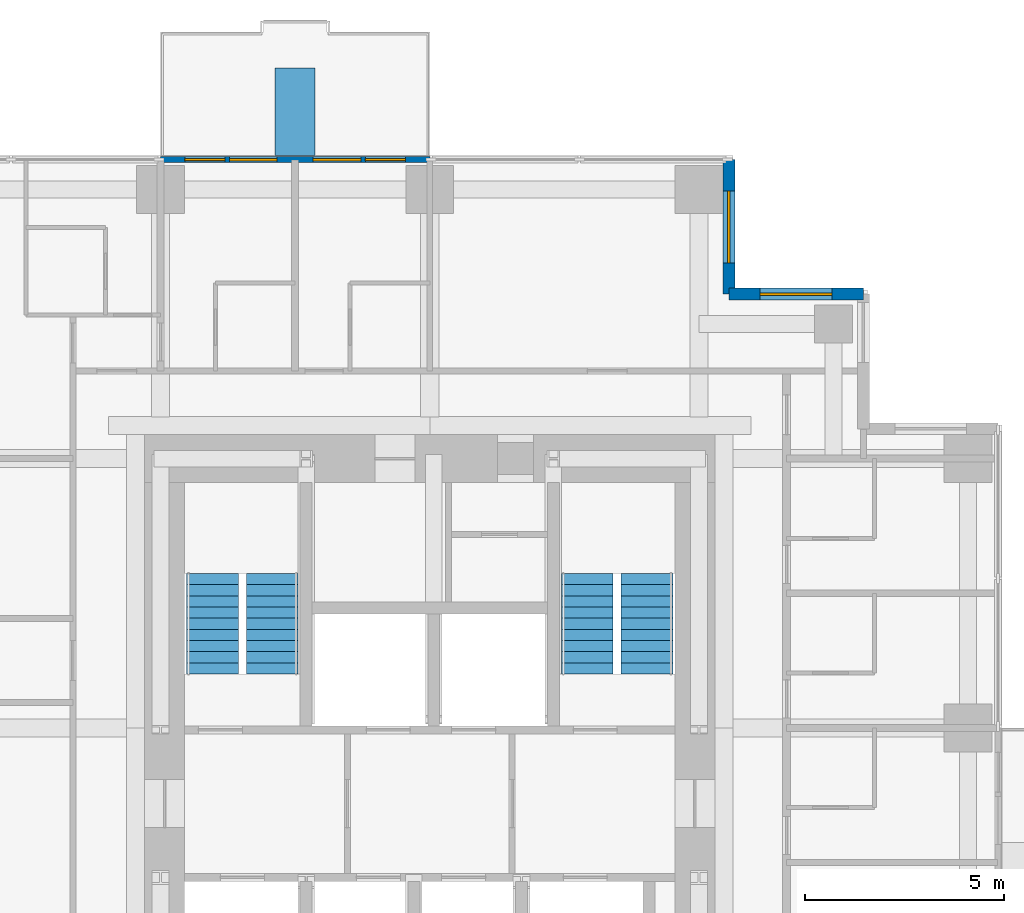
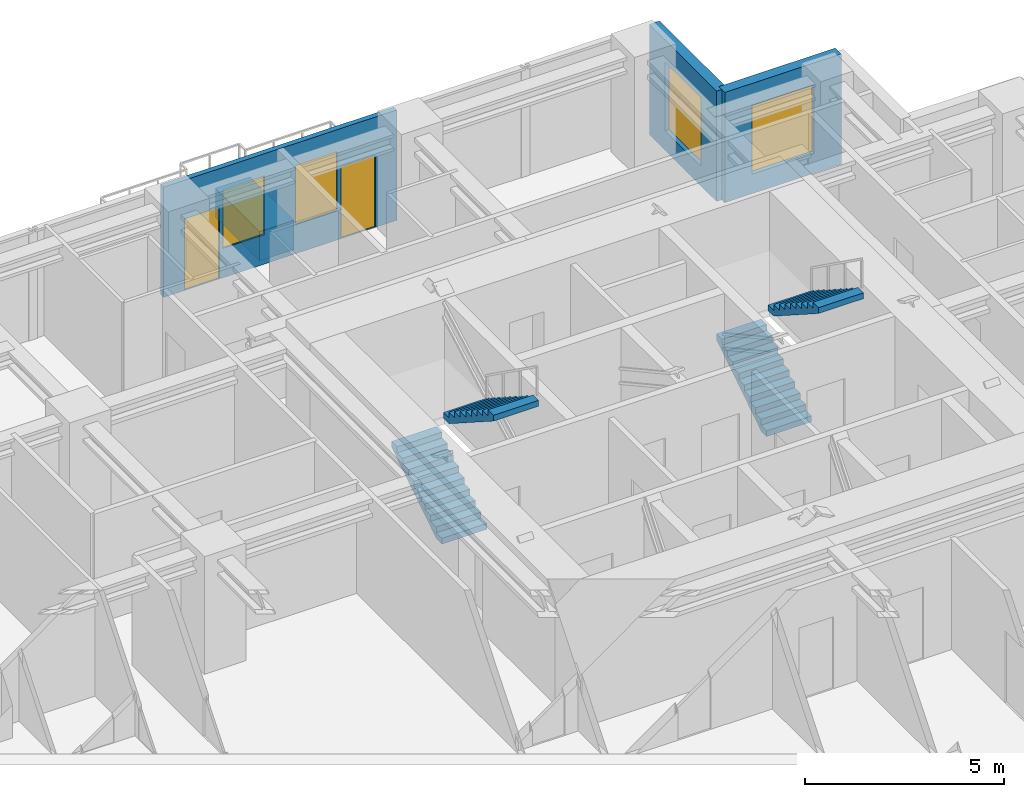
# One storey, part 9 of 10: 4 stair flights, 4 walls, 4 windows, 2 doors, 6 openings, 2 elements without a shape of their own.
"""IFC4 building model written with IfcOpenShell, lengths in metres."""

from ifc_helpers import new_model, si_unit, direction, frame, frame_2d, origin, place, context, subcontext, project, spatial, polyline, rectangle, outline, extrude, material, layer, layer_set, type_object, element, fill, aggregate, save


model = new_model("IFC4")

# Units and contexts
model_context = context("Model", 3, precision=1e-05, world=origin(), true_north=direction((0.0, 1.0)))
body_context = subcontext(model_context, "Body", "Model", "MODEL_VIEW")
ifc_project = project(units=[si_unit("LENGTHUNIT", "METRE"), si_unit("AREAUNIT", "SQUARE_METRE"), si_unit("VOLUMEUNIT", "CUBIC_METRE"), si_unit("PLANEANGLEUNIT", "RADIAN"), si_unit("MASSUNIT", "GRAM", prefix="KILO")], contexts=[model_context])

# Site, building, storey
site_placement = place(None, origin())
site = spatial("IfcSite", under=ifc_project, at=site_placement, CompositionType="ELEMENT")
building_placement = place(site_placement, origin())
building = spatial("IfcBuilding", under=site, at=building_placement, Name="Nyansa Garden Tower", CompositionType="ELEMENT")
storey_placement = place(building_placement, frame((0.0, 0.0, 192.60009765625)))
storey = spatial("IfcBuildingStorey", under=building, at=storey_placement, Name="L52", CompositionType="ELEMENT", Elevation=192.60009765625)

# Wall, openings, doors, windows
ifc_material_1 = material(Name="Black aluminium framed glazed screen", Category="aluminium")
ifc_layer_1 = layer(ifc_material_1, 0.14990234375)
ifc_layer_set_1 = layer_set([ifc_layer_1], Name="Balcony screen wall BW150")
wall_type_1 = type_object("IfcWallType", Name="Balcony screen wall BW150", PredefinedType="SOLIDWALL", material=ifc_layer_set_1)
wall_1_placement = place(storey_placement, frame((13.5, 34.5, 0.0), z_axis=(0.0, 0.0, 1.0), x_axis=(1.0, 0.0, 0.0)))
wall_1 = element("IfcWall", 1, at=wall_1_placement, inside=storey, type_object=wall_type_1, Name="Glazed screen wall L52 N", PredefinedType="SOLIDWALL", context=body_context, shape_type="SweptSolid", body=[
    extrude(rectangle(XDim=6.75, YDim=0.14990234375, at=frame_2d((3.375, 0.0))), origin(), (0.0, 0.0, 1.0), 3.375),
])
opening_1_placement = place(wall_1_placement, frame((0.612548828125, 0.0, 0.0)))
opening_1 = element("IfcOpeningElement", 2, at=opening_1_placement, cuts=wall_1, Name="Opening D20", PredefinedType="OPENING", context=body_context, shape_type="SweptSolid", body=[
    extrude(rectangle(XDim=1.0, YDim=2.199951171875, at=frame_2d((0.5, 1.10009765625))), frame((0.0, 0.0849609375, 0.0), z_axis=(0.0, -1.0, 0.0), x_axis=(1.0, 0.0, 0.0)), (0.0, 0.0, 1.0), 0.169921875),
])
opening_2_placement = place(wall_1_placement, frame((1.72509765625, 0.0, 0.89990234375)))
opening_2 = element("IfcOpeningElement", 3, at=opening_2_placement, cuts=wall_1, Name="Opening W6", PredefinedType="OPENING", context=body_context, shape_type="SweptSolid", body=[
    extrude(rectangle(XDim=1.199951171875, YDim=1.800048828125, at=frame_2d((0.60009765625, 0.89990234375))), frame((0.0, 0.0849609375, 0.0), z_axis=(0.0, -1.0, 0.0), x_axis=(1.0, 0.0, 0.0)), (0.0, 0.0, 1.0), 0.169921875),
])
opening_3_placement = place(wall_1_placement, frame((5.137451171875, 0.0, 0.0)))
opening_3 = element("IfcOpeningElement", 4, at=opening_3_placement, cuts=wall_1, Name="Opening D20", PredefinedType="OPENING", context=body_context, shape_type="SweptSolid", body=[
    extrude(rectangle(XDim=1.0, YDim=2.199951171875, at=frame_2d((0.5, 1.10009765625))), frame((0.0, 0.0849609375, 0.0), z_axis=(0.0, -1.0, 0.0), x_axis=(1.0, 0.0, 0.0)), (0.0, 0.0, 1.0), 0.169921875),
])
opening_4_placement = place(wall_1_placement, frame((3.824951171875, 0.0, 0.89990234375)))
opening_4 = element("IfcOpeningElement", 5, at=opening_4_placement, cuts=wall_1, Name="Opening W6", PredefinedType="OPENING", context=body_context, shape_type="SweptSolid", body=[
    extrude(rectangle(XDim=1.199951171875, YDim=1.800048828125, at=frame_2d((0.60009765625, 0.89990234375))), frame((0.0, 0.0849609375, 0.0), z_axis=(0.0, -1.0, 0.0), x_axis=(1.0, 0.0, 0.0)), (0.0, 0.0, 1.0), 0.169921875),
])
ifc_material_2 = material(Name="Black aluminium framed glazed door", Category="aluminium")
door_type = type_object("IfcDoorType", Name="Balcony door D20 1000x2200", OperationType="NOTDEFINED", PredefinedType="DOOR", material=ifc_material_2)
door_1_placement = place(opening_1_placement, origin())
door_1 = element("IfcDoor", 6, at=door_1_placement, inside=storey, type_object=door_type, Name="Balcony door L52", OperationType="SINGLE_SWING_LEFT", OverallHeight=2.199951171875, OverallWidth=1.0, PredefinedType="DOOR", context=body_context, shape_type="SweptSolid", body=[
    extrude(rectangle(XDim=1.0, YDim=2.199951171875, at=frame_2d((0.5, 1.10009765625))), frame((0.0, 0.02490234375, 0.0), z_axis=(0.0, -1.0, 0.0), x_axis=(1.0, 0.0, 0.0)), (0.0, 0.0, 1.0), 0.050048828125),
])
fill(opening_1, door_1)
door_2_placement = place(opening_3_placement, origin())
door_2 = element("IfcDoor", 7, at=door_2_placement, inside=storey, type_object=door_type, Name="Balcony door L52", OperationType="SINGLE_SWING_RIGHT", OverallHeight=2.199951171875, OverallWidth=1.0, PredefinedType="DOOR", context=body_context, shape_type="SweptSolid", body=[
    extrude(rectangle(XDim=1.0, YDim=2.199951171875, at=frame_2d((0.5, 1.10009765625))), frame((0.0, 0.02490234375, 0.0), z_axis=(0.0, -1.0, 0.0), x_axis=(1.0, 0.0, 0.0)), (0.0, 0.0, 1.0), 0.050048828125),
])
fill(opening_3, door_2)
ifc_material_3 = material(Name="Black aluminium frame, dark tinted double glazing", Category="aluminium")
window_type_1 = type_object("IfcWindowType", Name="Balcony window W6 1200x1800", PartitioningType="SINGLE_PANEL", PredefinedType="WINDOW", material=ifc_material_3)
window_1_placement = place(opening_2_placement, origin())
window_1 = element("IfcWindow", 8, at=window_1_placement, inside=storey, type_object=window_type_1, Name="Window L52", OverallHeight=1.800048828125, OverallWidth=1.199951171875, PartitioningType="SINGLE_PANEL", PredefinedType="WINDOW", context=body_context, shape_type="SweptSolid", body=[
    extrude(rectangle(XDim=1.199951171875, YDim=1.800048828125, at=frame_2d((0.60009765625, 0.89990234375))), frame((0.0, 0.030029296875, 0.0), z_axis=(0.0, -1.0, 0.0), x_axis=(1.0, 0.0, 0.0)), (0.0, 0.0, 1.0), 0.06005859375),
])
fill(opening_2, window_1)
window_2_placement = place(opening_4_placement, origin())
window_2 = element("IfcWindow", 9, at=window_2_placement, inside=storey, type_object=window_type_1, Name="Window L52", OverallHeight=1.800048828125, OverallWidth=1.199951171875, PartitioningType="SINGLE_PANEL", PredefinedType="WINDOW", context=body_context, shape_type="SweptSolid", body=[
    extrude(rectangle(XDim=1.199951171875, YDim=1.800048828125, at=frame_2d((0.60009765625, 0.89990234375))), frame((0.0, 0.030029296875, 0.0), z_axis=(0.0, -1.0, 0.0), x_axis=(1.0, 0.0, 0.0)), (0.0, 0.0, 1.0), 0.06005859375),
])
fill(opening_4, window_2)

# Wall, opening, window
ifc_material_4 = material(Name="Turquoise glazed tile on concrete blockwork", Category="masonry")
ifc_layer_2 = layer(ifc_material_4, 0.300048828125)
ifc_layer_set_2 = layer_set([ifc_layer_2], Name="Tiled corner wall TW300")
wall_type_2 = type_object("IfcWallType", Name="Tiled corner wall TW300", PredefinedType="SOLIDWALL", material=ifc_layer_set_2)
wall_2_placement = place(storey_placement, frame((31.125, 31.125, 0.0), z_axis=(0.0, 0.0, 1.0), x_axis=(-1.0, 0.0, 0.0)))
wall_2 = element("IfcWall", 10, at=wall_2_placement, inside=storey, type_object=wall_type_2, Name="Tiled corner wall L52", PredefinedType="SOLIDWALL", context=body_context, shape_type="SweptSolid", body=[
    extrude(rectangle(XDim=3.375, YDim=0.300048828125, at=frame_2d((1.6875, 0.0))), origin(), (0.0, 0.0, 1.0), 3.375),
])
opening_5_placement = place(wall_2_placement, frame((0.78759765625, 0.0, 0.60009765625)))
opening_5 = element("IfcOpeningElement", 11, at=opening_5_placement, cuts=wall_2, Name="Opening W2", PredefinedType="OPENING", context=body_context, shape_type="SweptSolid", body=[
    extrude(rectangle(XDim=1.800048828125, YDim=2.10009765625, at=frame_2d((0.89990234375, 1.050048828125))), frame((0.0, 0.159912109375, 0.0), z_axis=(0.0, -1.0, 0.0), x_axis=(1.0, 0.0, 0.0)), (0.0, 0.0, 1.0), 0.320068359375),
])
ifc_material_5 = material(Name="Black aluminium frame, dark tinted double glazing", Category="aluminium")
window_type_2 = type_object("IfcWindowType", Name="Window W2 1800x2100", PartitioningType="SINGLE_PANEL", PredefinedType="WINDOW", material=ifc_material_5)
window_3_placement = place(opening_5_placement, origin())
window_3 = element("IfcWindow", 12, at=window_3_placement, inside=storey, type_object=window_type_2, Name="Corner window L52", OverallHeight=2.10009765625, OverallWidth=1.800048828125, PartitioningType="SINGLE_PANEL", PredefinedType="WINDOW", context=body_context, shape_type="SweptSolid", body=[
    extrude(rectangle(XDim=1.800048828125, YDim=2.10009765625, at=frame_2d((0.89990234375, 1.050048828125))), frame((0.0, 0.030029296875, 0.0), z_axis=(0.0, -1.0, 0.0), x_axis=(1.0, 0.0, 0.0)), (0.0, 0.0, 1.0), 0.06005859375),
])
fill(opening_5, window_3)

wall_3_placement = place(storey_placement, frame((27.75, 31.125, 0.0), z_axis=(0.0, 0.0, 1.0), x_axis=(0.0, 1.0, 0.0)))
wall_3 = element("IfcWall", 13, at=wall_3_placement, inside=storey, type_object=wall_type_2, Name="Tiled corner wall L52", PredefinedType="SOLIDWALL", context=body_context, shape_type="SweptSolid", body=[
    extrude(rectangle(XDim=3.375, YDim=0.300048828125, at=frame_2d((1.6875, 0.0))), origin(), (0.0, 0.0, 1.0), 3.375),
])
opening_6_placement = place(wall_3_placement, frame((0.78759765625, 0.0, 0.60009765625)))
opening_6 = element("IfcOpeningElement", 14, at=opening_6_placement, cuts=wall_3, Name="Opening W2", PredefinedType="OPENING", context=body_context, shape_type="SweptSolid", body=[
    extrude(rectangle(XDim=1.800048828125, YDim=2.10009765625, at=frame_2d((0.89990234375, 1.050048828125))), frame((0.0, 0.159912109375, 0.0), z_axis=(0.0, -1.0, 0.0), x_axis=(1.0, 0.0, 0.0)), (0.0, 0.0, 1.0), 0.320068359375),
])
window_4_placement = place(opening_6_placement, origin())
window_4 = element("IfcWindow", 15, at=window_4_placement, inside=storey, type_object=window_type_2, Name="Corner window L52", OverallHeight=2.10009765625, OverallWidth=1.800048828125, PartitioningType="SINGLE_PANEL", PredefinedType="WINDOW", context=body_context, shape_type="SweptSolid", body=[
    extrude(rectangle(XDim=1.800048828125, YDim=2.10009765625, at=frame_2d((0.89990234375, 1.050048828125))), frame((0.0, 0.030029296875, 0.0), z_axis=(0.0, -1.0, 0.0), x_axis=(1.0, 0.0, 0.0)), (0.0, 0.0, 1.0), 0.06005859375),
])
fill(opening_6, window_4)

# Wall
ifc_material_6 = material(Name="Concrete C40/50 planter, waterproofed", Category="concrete")
ifc_layer_3 = layer(ifc_material_6, 1.0)
ifc_layer_set_3 = layer_set([ifc_layer_3], Name="Tree planter TP1")
wall_type_3 = type_object("IfcWallType", Name="Tree planter TP1", PredefinedType="USERDEFINED", material=ifc_layer_set_3)
wall_4_placement = place(storey_placement, frame((16.875, 34.60009765625, 0.0), z_axis=(0.0, 0.0, 1.0), x_axis=(0.0, 1.0, 0.0)))
element("IfcWall", 16, at=wall_4_placement, inside=storey, type_object=wall_type_3, Name="Tree planter L52", ObjectType="TREE PLANTER", PredefinedType="USERDEFINED", context=body_context, shape_type="SweptSolid", body=[
    extrude(rectangle(XDim=2.199951171875, YDim=1.0, at=frame_2d((1.10009765625, 0.0))), origin(), (0.0, 0.0, 1.0), 0.89990234375),
])

# Stair, stair flights
ifc_material_7 = material(Name="Precast concrete C40/50", Category="concrete")
stair_type_1 = type_object("IfcStairType", Name="Stair S1 180x280", PredefinedType="HALF_TURN_STAIR", material=ifc_material_7)
stair_1_placement = place(storey_placement, origin())
stair_1 = element("IfcStair", 17, at=stair_1_placement, inside=storey, type_object=stair_type_1, Name="Stair S1 L52", PredefinedType="HALF_TURN_STAIR")
ifc_material_8 = material(Name="Precast concrete C40/50", Category="concrete")
stair_flight_type_1 = type_object("IfcStairFlightType", Name="Stair flight S1 180x280x10", PredefinedType="STRAIGHT", material=ifc_material_8)
stair_flight_1_placement = place(storey_placement, frame((14.800048828125, 21.60009765625, 0.0), z_axis=(0.0, 0.0, 1.0), x_axis=(0.0, 1.0, 0.0)))
stair_flight_1 = element("IfcStairFlight", 18, at=stair_flight_1_placement, type_object=stair_flight_type_1, Name="S1 flight 1", NumberOfRisers=10, NumberOfTreads=9, PredefinedType="STRAIGHT", RiserHeight=0.18, TreadLength=0.28, context=body_context, shape_type="SweptSolid", body=[
    extrude(outline(polyline([(0.0, 0.0), (0.0, 0.179931640625), (0.280029296875, 0.179931640625), (0.280029296875, 0.360107421875), (0.56005859375, 0.360107421875), (0.56005859375, 0.5400390625), (0.840087890625, 0.5400390625), (0.840087890625, 0.719970703125), (1.1201171875, 0.719970703125), (1.1201171875, 0.89990234375), (1.39990234375, 0.89990234375), (1.39990234375, 1.080078125), (1.679931640625, 1.080078125), (1.679931640625, 1.260009765625), (1.9599609375, 1.260009765625), (1.9599609375, 1.43994140625), (2.239990234375, 1.43994140625), (2.239990234375, 1.6201171875), (2.52001953125, 1.6201171875), (2.52001953125, 1.800048828125), (2.52001953125, 1.44189453125), (0.277099609375, 0.0), (0.0, 0.0)])), frame((0.0, 0.64990234375, 0.0), z_axis=(0.0, -1.0, 0.0), x_axis=(1.0, 0.0, 0.0)), (0.0, 0.0, 1.0), 1.300048828125),
])
stair_flight_2_placement = place(storey_placement, frame((16.300048828125, 24.1201171875, 1.7998046875), z_axis=(0.0, 0.0, 1.0), x_axis=(0.0, -1.0, 0.0)))
stair_flight_2 = element("IfcStairFlight", 19, at=stair_flight_2_placement, type_object=stair_flight_type_1, Name="S1 flight 2", NumberOfRisers=10, NumberOfTreads=9, PredefinedType="STRAIGHT", RiserHeight=0.18, TreadLength=0.28, context=body_context, shape_type="SweptSolid", body=[
    extrude(outline(polyline([(0.0, 0.0), (0.0, 0.179931640625), (0.280029296875, 0.179931640625), (0.280029296875, 0.360107421875), (0.56005859375, 0.360107421875), (0.56005859375, 0.5400390625), (0.840087890625, 0.5400390625), (0.840087890625, 0.719970703125), (1.1201171875, 0.719970703125), (1.1201171875, 0.89990234375), (1.39990234375, 0.89990234375), (1.39990234375, 1.080078125), (1.679931640625, 1.080078125), (1.679931640625, 1.260009765625), (1.9599609375, 1.260009765625), (1.9599609375, 1.43994140625), (2.239990234375, 1.43994140625), (2.239990234375, 1.6201171875), (2.52001953125, 1.6201171875), (2.52001953125, 1.800048828125), (2.52001953125, 1.44189453125), (0.277099609375, 0.0), (0.0, 0.0)])), frame((0.0, 0.64990234375, 0.0), z_axis=(0.0, -1.0, 0.0), x_axis=(1.0, 0.0, 0.0)), (0.0, 0.0, 1.0), 1.300048828125),
])
aggregate(stair_1, [stair_flight_1, stair_flight_2])

ifc_material_9 = material(Name="Precast concrete C40/50", Category="concrete")
stair_type_2 = type_object("IfcStairType", Name="Stair S2 180x280", PredefinedType="HALF_TURN_STAIR", material=ifc_material_9)
stair_2_placement = place(storey_placement, origin())
stair_2 = element("IfcStair", 20, at=stair_2_placement, inside=storey, type_object=stair_type_2, Name="Stair S2 L52", PredefinedType="HALF_TURN_STAIR")
ifc_material_10 = material(Name="Precast concrete C40/50", Category="concrete")
stair_flight_type_2 = type_object("IfcStairFlightType", Name="Stair flight S2 180x280x10", PredefinedType="STRAIGHT", material=ifc_material_10)
stair_flight_3_placement = place(storey_placement, frame((24.199951171875, 21.60009765625, 0.0), z_axis=(0.0, 0.0, 1.0), x_axis=(0.0, 1.0, 0.0)))
stair_flight_3 = element("IfcStairFlight", 21, at=stair_flight_3_placement, type_object=stair_flight_type_2, Name="S2 flight 1", NumberOfRisers=10, NumberOfTreads=9, PredefinedType="STRAIGHT", RiserHeight=0.18, TreadLength=0.28, context=body_context, shape_type="SweptSolid", body=[
    extrude(outline(polyline([(0.0, 0.0), (0.0, 0.179931640625), (0.280029296875, 0.179931640625), (0.280029296875, 0.360107421875), (0.56005859375, 0.360107421875), (0.56005859375, 0.5400390625), (0.840087890625, 0.5400390625), (0.840087890625, 0.719970703125), (1.1201171875, 0.719970703125), (1.1201171875, 0.89990234375), (1.39990234375, 0.89990234375), (1.39990234375, 1.080078125), (1.679931640625, 1.080078125), (1.679931640625, 1.260009765625), (1.9599609375, 1.260009765625), (1.9599609375, 1.43994140625), (2.239990234375, 1.43994140625), (2.239990234375, 1.6201171875), (2.52001953125, 1.6201171875), (2.52001953125, 1.800048828125), (2.52001953125, 1.44189453125), (0.277099609375, 0.0), (0.0, 0.0)])), frame((0.0, 0.64990234375, 0.0), z_axis=(0.0, -1.0, 0.0), x_axis=(1.0, 0.0, 0.0)), (0.0, 0.0, 1.0), 1.300048828125),
])
stair_flight_4_placement = place(storey_placement, frame((25.699951171875, 24.1201171875, 1.7998046875), z_axis=(0.0, 0.0, 1.0), x_axis=(0.0, -1.0, 0.0)))
stair_flight_4 = element("IfcStairFlight", 22, at=stair_flight_4_placement, type_object=stair_flight_type_2, Name="S2 flight 2", NumberOfRisers=10, NumberOfTreads=9, PredefinedType="STRAIGHT", RiserHeight=0.18, TreadLength=0.28, context=body_context, shape_type="SweptSolid", body=[
    extrude(outline(polyline([(0.0, 0.0), (0.0, 0.179931640625), (0.280029296875, 0.179931640625), (0.280029296875, 0.360107421875), (0.56005859375, 0.360107421875), (0.56005859375, 0.5400390625), (0.840087890625, 0.5400390625), (0.840087890625, 0.719970703125), (1.1201171875, 0.719970703125), (1.1201171875, 0.89990234375), (1.39990234375, 0.89990234375), (1.39990234375, 1.080078125), (1.679931640625, 1.080078125), (1.679931640625, 1.260009765625), (1.9599609375, 1.260009765625), (1.9599609375, 1.43994140625), (2.239990234375, 1.43994140625), (2.239990234375, 1.6201171875), (2.52001953125, 1.6201171875), (2.52001953125, 1.800048828125), (2.52001953125, 1.44189453125), (0.277099609375, 0.0), (0.0, 0.0)])), frame((0.0, 0.64990234375, 0.0), z_axis=(0.0, -1.0, 0.0), x_axis=(1.0, 0.0, 0.0)), (0.0, 0.0, 1.0), 1.300048828125),
])
aggregate(stair_2, [stair_flight_3, stair_flight_4])

save(model, "model.ifc")
